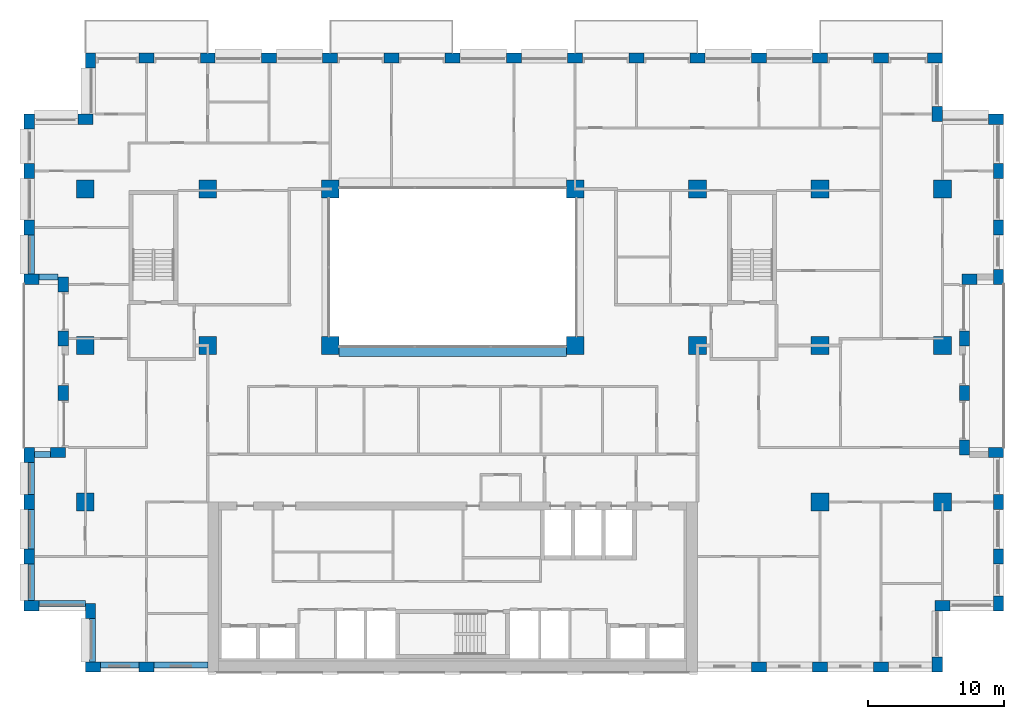
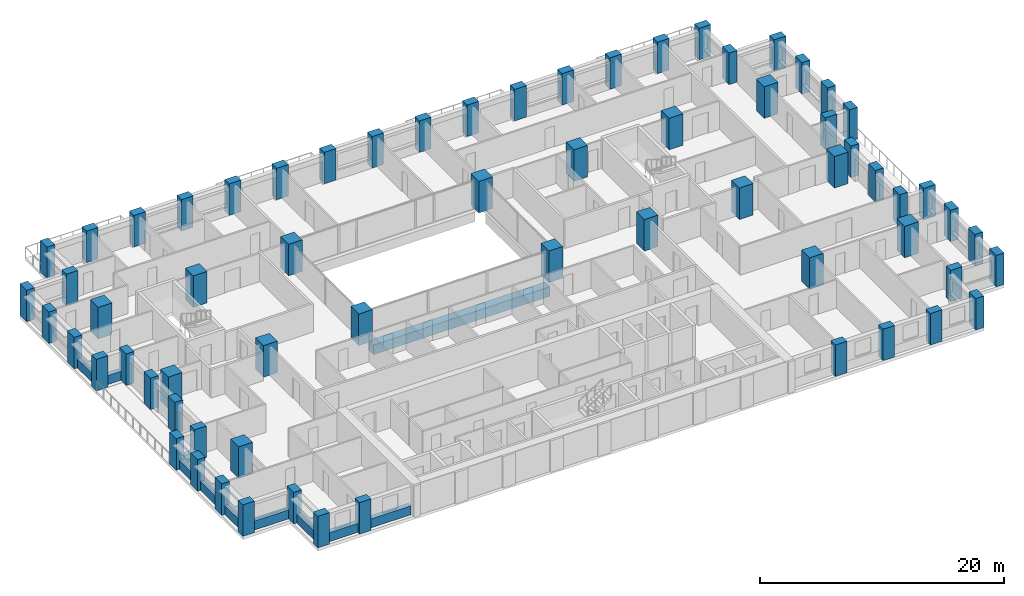
# One storey, part 1 of 16: 66 columns, 11 beams.
"""IFC4 building model written with IfcOpenShell, lengths in metres."""

from ifc_helpers import new_model, si_unit, direction, frame, origin, origin_2d, place, context, subcontext, project, spatial, rectangle, extrude, material, material_profile, profile_set, type_object, element, save


model = new_model("IFC4")

# Units and contexts
model_context = context("Model", 3, precision=1e-05, world=origin(), true_north=direction((0.0, 1.0)))
body_context = subcontext(model_context, "Body", "Model", "MODEL_VIEW")
ifc_project = project(units=[si_unit("LENGTHUNIT", "METRE"), si_unit("AREAUNIT", "SQUARE_METRE"), si_unit("VOLUMEUNIT", "CUBIC_METRE"), si_unit("PLANEANGLEUNIT", "RADIAN"), si_unit("MASSUNIT", "GRAM", prefix="KILO")], contexts=[model_context])

# Site, building, storey
site_placement = place(None, origin())
site = spatial("IfcSite", under=ifc_project, at=site_placement, CompositionType="ELEMENT")
building_placement = place(site_placement, origin())
building = spatial("IfcBuilding", under=site, at=building_placement, Name="Brigalow Station Residences", CompositionType="ELEMENT")
storey_placement = place(building_placement, frame((0.0, 0.0, 99.300048828125)))
storey = spatial("IfcBuildingStorey", under=building, at=storey_placement, Name="L28", CompositionType="ELEMENT", Elevation=99.300048828125)

# Columns
ifc_material_1 = material(Name="Concrete C65", Category="concrete")
ifc_material_profile_1 = material_profile(ifc_material_1, rectangle(XDim=1.300048828125, YDim=1.300048828125, at=origin_2d()), Name="RC1300x1300")
ifc_profile_set_1 = profile_set([ifc_material_profile_1], Name="Concrete C65")
column_type_1 = type_object("IfcColumnType", Name="COLUMN 1300x1300 C65", PredefinedType="COLUMN", material=ifc_profile_set_1)
for number, where, z_axis, x_axis, name in (
    (1, (9.0, 24.0, 0.0), (0.0, 0.0, 1.0), (1.0, 0.0, 0.0), "COLUMN C1 L28"),
    (2, (18.0, 24.0, 0.0), (0.0, 0.0, 1.0), (1.0, 0.0, 0.0), "COLUMN C2 L28"),
    (3, (27.0, 24.0, 0.0), (0.0, 0.0, 1.0), (1.0, 0.0, 0.0), "COLUMN C3 L28"),
    (4, (45.0, 24.0, 0.0), (0.0, 0.0, 1.0), (1.0, 0.0, 0.0), "COLUMN C5 L28"),
    (5, (54.0, 24.0, 0.0), (0.0, 0.0, 1.0), (1.0, 0.0, 0.0), "COLUMN C6 L28"),
    (6, (63.0, 24.0, 0.0), (0.0, 0.0, 1.0), (1.0, 0.0, 0.0), "COLUMN C7 L28"),
    (7, (72.0, 24.0, 0.0), (0.0, 0.0, 1.0), (1.0, 0.0, 0.0), "COLUMN C8 L28"),
    (8, (9.0, 35.5, 0.0), (0.0, 0.0, 1.0), (1.0, 0.0, 0.0), "COLUMN D1 L28"),
    (9, (18.0, 35.5, 0.0), (0.0, 0.0, 1.0), (1.0, 0.0, 0.0), "COLUMN D2 L28"),
    (10, (27.0, 35.5, 0.0), (0.0, 0.0, 1.0), (1.0, 0.0, 0.0), "COLUMN D3 L28"),
    (11, (45.0, 35.5, 0.0), (0.0, 0.0, 1.0), (1.0, 0.0, 0.0), "COLUMN D5 L28"),
    (12, (54.0, 35.5, 0.0), (0.0, 0.0, 1.0), (1.0, 0.0, 0.0), "COLUMN D6 L28"),
    (13, (63.0, 35.5, 0.0), (0.0, 0.0, 1.0), (1.0, 0.0, 0.0), "COLUMN D7 L28"),
    (14, (72.0, 35.5, 0.0), (0.0, 0.0, 1.0), (1.0, 0.0, 0.0), "COLUMN D8 L28"),
    (15, (9.0, 12.5, 0.0), (0.0, 0.0, 1.0), (1.0, 0.0, 0.0), "COLUMN B1 L28"),
    (16, (63.0, 12.5, 0.0), (0.0, 0.0, 1.0), (1.0, 0.0, 0.0), "COLUMN B7 L28"),
    (17, (72.0, 12.5, 0.0), (0.0, 0.0, 1.0), (1.0, 0.0, 0.0), "COLUMN B8 L28"),
):
    element("IfcColumn", number, at=place(storey_placement, frame(where, z_axis=z_axis, x_axis=x_axis)), inside=storey, type_object=column_type_1, Name=name, PredefinedType="COLUMN", context=body_context, shape_type="SweptSolid", body=[
        extrude(rectangle(XDim=1.300048828125, YDim=1.300048828125, at=origin_2d()), origin(), (0.0, 0.0, 1.0), 3.14990234375),
    ])
ifc_material_2 = material(Name="Concrete C65", Category="concrete")
ifc_material_profile_2 = material_profile(ifc_material_2, rectangle(XDim=1.10009765625, YDim=0.75, at=origin_2d()), Name="RC1100x750")
ifc_profile_set_2 = profile_set([ifc_material_profile_2], Name="Concrete C65")
column_type_2 = type_object("IfcColumnType", Name="PIER 1100x750 C65", PredefinedType="USERDEFINED", material=ifc_profile_set_2)
for number, where, z_axis, x_axis, name in (
    (18, (9.550048828125, 0.375, 0.0), (0.0, 0.0, 1.0), (1.0, 0.0, 0.0), "PIER S-1 L28"),
    (19, (13.5, 0.375, 0.0), (0.0, 0.0, 1.0), (1.0, 0.0, 0.0), "PIER S-2 L28"),
    (20, (58.5, 0.375, 0.0), (0.0, 0.0, 1.0), (1.0, 0.0, 0.0), "PIER S-12 L28"),
    (21, (63.0, 0.375, 0.0), (0.0, 0.0, 1.0), (1.0, 0.0, 0.0), "PIER S-13 L28"),
    (22, (67.5, 0.375, 0.0), (0.0, 0.0, 1.0), (1.0, 0.0, 0.0), "PIER S-14 L28"),
    (23, (71.625, 0.550048828125, 0.0), (0.0, 0.0, 1.0), (0.0, 1.0, 0.0), "PIER SE1-1 L28"),
    (24, (72.0, 4.875, 0.0), (0.0, 0.0, 1.0), (1.0, 0.0, 0.0), "PIER SE2-1 L28"),
    (25, (76.125, 5.050048828125, 0.0), (0.0, 0.0, 1.0), (0.0, 1.0, 0.0), "PIER E1-1 L28"),
    (26, (76.125, 8.5, 0.0), (0.0, 0.0, 1.0), (0.0, 1.0, 0.0), "PIER E1-2 L28"),
    (27, (76.125, 12.5, 0.0), (0.0, 0.0, 1.0), (0.0, 1.0, 0.0), "PIER E1-3 L28"),
    (28, (75.949951171875, 16.125, 0.0), (0.0, 0.0, 1.0), (-1.0, 0.0, 0.0), "PIER EL1-1 L28"),
    (29, (73.625, 16.5, 0.0), (0.0, 0.0, 1.0), (0.0, 1.0, 0.0), "PIER EL2-1 L28"),
    (30, (73.625, 20.5, 0.0), (0.0, 0.0, 1.0), (0.0, 1.0, 0.0), "PIER EL2-2 L28"),
    (31, (73.625, 24.5, 0.0), (0.0, 0.0, 1.0), (0.0, 1.0, 0.0), "PIER EL2-3 L28"),
    (32, (74.0, 28.875, 0.0), (0.0, 0.0, 1.0), (1.0, 0.0, 0.0), "PIER EL3-1 L28"),
    (33, (76.125, 29.050048828125, 0.0), (0.0, 0.0, 1.0), (0.0, 1.0, 0.0), "PIER E2-1 L28"),
    (34, (76.125, 32.6669921875, 0.0), (0.0, 0.0, 1.0), (0.0, 1.0, 0.0), "PIER E2-2 L28"),
    (35, (76.125, 36.8330078125, 0.0), (0.0, 0.0, 1.0), (0.0, 1.0, 0.0), "PIER E2-3 L28"),
    (36, (75.949951171875, 40.625, 0.0), (0.0, 0.0, 1.0), (-1.0, 0.0, 0.0), "PIER NE1-1 L28"),
    (37, (71.625, 41.0, 0.0), (0.0, 0.0, 1.0), (0.0, 1.0, 0.0), "PIER NE2-1 L28"),
    (38, (71.449951171875, 45.125, 0.0), (0.0, 0.0, 1.0), (-1.0, 0.0, 0.0), "PIER N-1 L28"),
    (39, (67.5, 45.125, 0.0), (0.0, 0.0, 1.0), (-1.0, 0.0, 0.0), "PIER N-2 L28"),
    (40, (63.0, 45.125, 0.0), (0.0, 0.0, 1.0), (-1.0, 0.0, 0.0), "PIER N-3 L28"),
    (41, (58.5, 45.125, 0.0), (0.0, 0.0, 1.0), (-1.0, 0.0, 0.0), "PIER N-4 L28"),
    (42, (54.0, 45.125, 0.0), (0.0, 0.0, 1.0), (-1.0, 0.0, 0.0), "PIER N-5 L28"),
    (43, (49.5, 45.125, 0.0), (0.0, 0.0, 1.0), (-1.0, 0.0, 0.0), "PIER N-6 L28"),
    (44, (45.0, 45.125, 0.0), (0.0, 0.0, 1.0), (-1.0, 0.0, 0.0), "PIER N-7 L28"),
    (45, (40.5, 45.125, 0.0), (0.0, 0.0, 1.0), (-1.0, 0.0, 0.0), "PIER N-8 L28"),
    (46, (36.0, 45.125, 0.0), (0.0, 0.0, 1.0), (-1.0, 0.0, 0.0), "PIER N-9 L28"),
    (47, (31.5, 45.125, 0.0), (0.0, 0.0, 1.0), (-1.0, 0.0, 0.0), "PIER N-10 L28"),
    (48, (27.0, 45.125, 0.0), (0.0, 0.0, 1.0), (-1.0, 0.0, 0.0), "PIER N-11 L28"),
    (49, (22.5, 45.125, 0.0), (0.0, 0.0, 1.0), (-1.0, 0.0, 0.0), "PIER N-12 L28"),
    (50, (18.0, 45.125, 0.0), (0.0, 0.0, 1.0), (-1.0, 0.0, 0.0), "PIER N-13 L28"),
    (51, (13.5, 45.125, 0.0), (0.0, 0.0, 1.0), (-1.0, 0.0, 0.0), "PIER N-14 L28"),
    (52, (9.375, 44.949951171875, 0.0), (0.0, 0.0, 1.0), (0.0, -1.0, 0.0), "PIER NW1-1 L28"),
    (53, (9.0, 40.625, 0.0), (0.0, 0.0, 1.0), (-1.0, 0.0, 0.0), "PIER NW2-1 L28"),
    (54, (4.875, 40.449951171875, 0.0), (0.0, 0.0, 1.0), (0.0, -1.0, 0.0), "PIER W2-1 L28"),
    (55, (4.875, 36.8330078125, 0.0), (0.0, 0.0, 1.0), (0.0, -1.0, 0.0), "PIER W2-2 L28"),
    (56, (4.875, 32.6669921875, 0.0), (0.0, 0.0, 1.0), (0.0, -1.0, 0.0), "PIER W2-3 L28"),
    (57, (5.050048828125, 28.875, 0.0), (0.0, 0.0, 1.0), (1.0, 0.0, 0.0), "PIER WL1-1 L28"),
    (58, (7.375, 28.5, 0.0), (0.0, 0.0, 1.0), (0.0, -1.0, 0.0), "PIER WL2-1 L28"),
    (59, (7.375, 24.5, 0.0), (0.0, 0.0, 1.0), (0.0, -1.0, 0.0), "PIER WL2-2 L28"),
    (60, (7.375, 20.5, 0.0), (0.0, 0.0, 1.0), (0.0, -1.0, 0.0), "PIER WL2-3 L28"),
    (61, (7.0, 16.125, 0.0), (0.0, 0.0, 1.0), (-1.0, 0.0, 0.0), "PIER WL3-1 L28"),
    (62, (4.875, 15.949951171875, 0.0), (0.0, 0.0, 1.0), (0.0, -1.0, 0.0), "PIER W1-1 L28"),
    (63, (4.875, 12.5, 0.0), (0.0, 0.0, 1.0), (0.0, -1.0, 0.0), "PIER W1-2 L28"),
    (64, (4.875, 8.5, 0.0), (0.0, 0.0, 1.0), (0.0, -1.0, 0.0), "PIER W1-3 L28"),
    (65, (5.050048828125, 4.875, 0.0), (0.0, 0.0, 1.0), (1.0, 0.0, 0.0), "PIER SW1-1 L28"),
    (66, (9.375, 4.5, 0.0), (0.0, 0.0, 1.0), (0.0, -1.0, 0.0), "PIER SW2-1 L28"),
):
    element("IfcColumn", number, at=place(storey_placement, frame(where, z_axis=z_axis, x_axis=x_axis)), inside=storey, type_object=column_type_2, Name=name, ObjectType="PIER", PredefinedType="USERDEFINED", context=body_context, shape_type="SweptSolid", body=[
        extrude(rectangle(XDim=1.10009765625, YDim=0.75, at=origin_2d()), origin(), (0.0, 0.0, 1.0), 3.14990234375),
    ])

# Beams
ifc_material_3 = material(Name="Concrete C65", Category="concrete")
ifc_material_profile_3 = material_profile(ifc_material_3, rectangle(XDim=0.800048828125, YDim=0.949951171875, at=origin_2d()), Name="RC800x950")
ifc_profile_set_3 = profile_set([ifc_material_profile_3], Name="Concrete C65")
beam_type_1 = type_object("IfcBeamType", Name="ATRIUM EDGE GIRDER OVER 13.5 M SPAN 800x950 C65", PredefinedType="BEAM", material=ifc_profile_set_3)
beam_1_placement = place(storey_placement, frame((27.64990234375, 23.60009765625, -0.795166015625), z_axis=(1.0, 0.0, 0.0), x_axis=(0.0, 1.0, 0.0)))
element("IfcBeam", 67, at=beam_1_placement, inside=storey, type_object=beam_type_1, Name="ATRIUM EDGE GIRDER C L28", PredefinedType="BEAM", context=body_context, shape_type="SweptSolid", body=[
    extrude(rectangle(XDim=0.800048828125, YDim=0.949951171875, at=origin_2d()), origin(), (0.0, 0.0, 1.0), 16.7001953125),
])
ifc_material_4 = material(Name="Concrete C65", Category="concrete")
ifc_material_profile_4 = material_profile(ifc_material_4, rectangle(XDim=0.449951171875, YDim=0.89990234375, at=origin_2d()), Name="RC450x900")
ifc_profile_set_4 = profile_set([ifc_material_profile_4], Name="Concrete C65")
beam_type_2 = type_object("IfcBeamType", Name="SPANDREL BEAM 450x900 C65", PredefinedType="SPANDREL", material=ifc_profile_set_4)
beam_2_placement = place(storey_placement, frame((10.10009765625, 0.52490234375, 0.449951171875), z_axis=(1.0, 0.0, 0.0), x_axis=(0.0, 1.0, 0.0)))
element("IfcBeam", 68, at=beam_2_placement, inside=storey, type_object=beam_type_2, Name="L28/spandrel/W-L28-1", PredefinedType="SPANDREL", context=body_context, shape_type="SweptSolid", body=[
    extrude(rectangle(XDim=0.449951171875, YDim=0.89990234375, at=origin_2d()), origin(), (0.0, 0.0, 1.0), 2.849853515625),
])
beam_3_placement = place(storey_placement, frame((14.050048828125, 0.52490234375, 0.449951171875), z_axis=(1.0, 0.0, 0.0), x_axis=(0.0, 1.0, 0.0)))
element("IfcBeam", 69, at=beam_3_placement, inside=storey, type_object=beam_type_2, Name="L28/spandrel/W-L28-2", PredefinedType="SPANDREL", context=body_context, shape_type="SweptSolid", body=[
    extrude(rectangle(XDim=0.449951171875, YDim=0.89990234375, at=origin_2d()), origin(), (0.0, 0.0, 1.0), 3.949951171875),
])
beam_4_placement = place(storey_placement, frame((5.02490234375, 32.116943359375, 0.449951171875), z_axis=(0.0, -1.0, 0.0), x_axis=(1.0, 0.0, 0.0)))
element("IfcBeam", 70, at=beam_4_placement, inside=storey, type_object=beam_type_2, Name="L28/spandrel/W-L28-41", PredefinedType="SPANDREL", context=body_context, shape_type="SweptSolid", body=[
    extrude(rectangle(XDim=0.449951171875, YDim=0.89990234375, at=origin_2d()), origin(), (0.0, 0.0, 1.0), 2.866943359375),
])
beam_5_placement = place(storey_placement, frame((5.60009765625, 29.02490234375, 0.449951171875), z_axis=(1.0, 0.0, 0.0), x_axis=(0.0, 1.0, 0.0)))
element("IfcBeam", 71, at=beam_5_placement, inside=storey, type_object=beam_type_2, Name="L28/spandrel/W-L28-42", PredefinedType="SPANDREL", context=body_context, shape_type="SweptSolid", body=[
    extrude(rectangle(XDim=0.449951171875, YDim=0.89990234375, at=origin_2d()), origin(), (0.0, 0.0, 1.0), 1.39990234375),
])
beam_6_placement = place(storey_placement, frame((6.449951171875, 15.97509765625, 0.449951171875), z_axis=(-1.0, 0.0, 0.0), x_axis=(0.0, -1.0, 0.0)))
element("IfcBeam", 72, at=beam_6_placement, inside=storey, type_object=beam_type_2, Name="L28/spandrel/W-L28-46", PredefinedType="SPANDREL", context=body_context, shape_type="SweptSolid", body=[
    extrude(rectangle(XDim=0.449951171875, YDim=0.89990234375, at=origin_2d()), origin(), (0.0, 0.0, 1.0), 1.199951171875),
])
beam_7_placement = place(storey_placement, frame((5.02490234375, 15.39990234375, 0.449951171875), z_axis=(0.0, -1.0, 0.0), x_axis=(1.0, 0.0, 0.0)))
element("IfcBeam", 73, at=beam_7_placement, inside=storey, type_object=beam_type_2, Name="L28/spandrel/W-L28-47", PredefinedType="SPANDREL", context=body_context, shape_type="SweptSolid", body=[
    extrude(rectangle(XDim=0.449951171875, YDim=0.89990234375, at=origin_2d()), origin(), (0.0, 0.0, 1.0), 2.349853515625),
])
beam_8_placement = place(storey_placement, frame((5.02490234375, 11.949951171875, 0.449951171875), z_axis=(0.0, -1.0, 0.0), x_axis=(1.0, 0.0, 0.0)))
element("IfcBeam", 74, at=beam_8_placement, inside=storey, type_object=beam_type_2, Name="L28/spandrel/W-L28-48", PredefinedType="SPANDREL", context=body_context, shape_type="SweptSolid", body=[
    extrude(rectangle(XDim=0.449951171875, YDim=0.89990234375, at=origin_2d()), origin(), (0.0, 0.0, 1.0), 2.89990234375),
])
beam_9_placement = place(storey_placement, frame((5.02490234375, 7.949951171875, 0.449951171875), z_axis=(0.0, -1.0, 0.0), x_axis=(1.0, 0.0, 0.0)))
element("IfcBeam", 75, at=beam_9_placement, inside=storey, type_object=beam_type_2, Name="L28/spandrel/W-L28-49", PredefinedType="SPANDREL", context=body_context, shape_type="SweptSolid", body=[
    extrude(rectangle(XDim=0.449951171875, YDim=0.89990234375, at=origin_2d()), origin(), (0.0, 0.0, 1.0), 2.699951171875),
])
beam_10_placement = place(storey_placement, frame((5.60009765625, 5.02490234375, 0.449951171875), z_axis=(1.0, 0.0, 0.0), x_axis=(0.0, 1.0, 0.0)))
element("IfcBeam", 76, at=beam_10_placement, inside=storey, type_object=beam_type_2, Name="L28/spandrel/W-L28-50", PredefinedType="SPANDREL", context=body_context, shape_type="SweptSolid", body=[
    extrude(rectangle(XDim=0.449951171875, YDim=0.89990234375, at=origin_2d()), origin(), (0.0, 0.0, 1.0), 3.39990234375),
])
beam_11_placement = place(storey_placement, frame((9.52490234375, 3.949951171875, 0.449951171875), z_axis=(0.0, -1.0, 0.0), x_axis=(1.0, 0.0, 0.0)))
element("IfcBeam", 77, at=beam_11_placement, inside=storey, type_object=beam_type_2, Name="L28/spandrel/W-L28-51", PredefinedType="SPANDREL", context=body_context, shape_type="SweptSolid", body=[
    extrude(rectangle(XDim=0.449951171875, YDim=0.89990234375, at=origin_2d()), origin(), (0.0, 0.0, 1.0), 3.199951171875),
])

save(model, "model.ifc")
